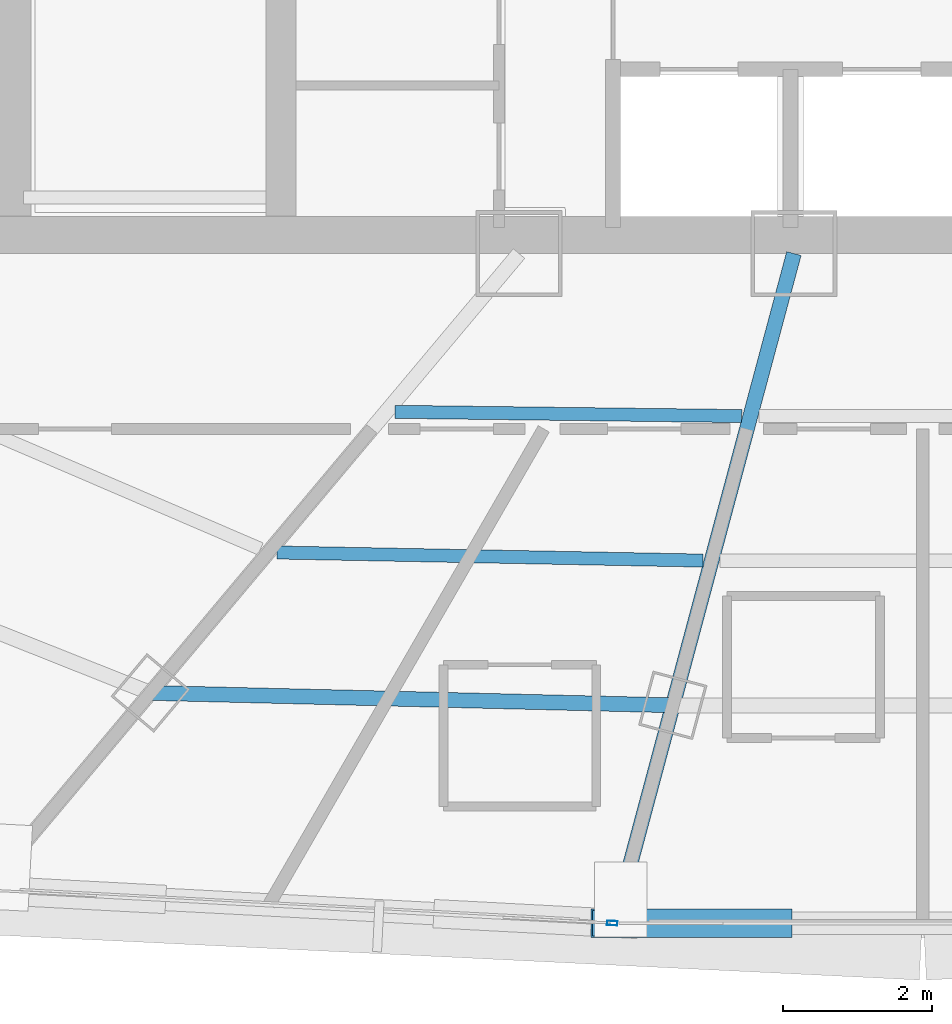
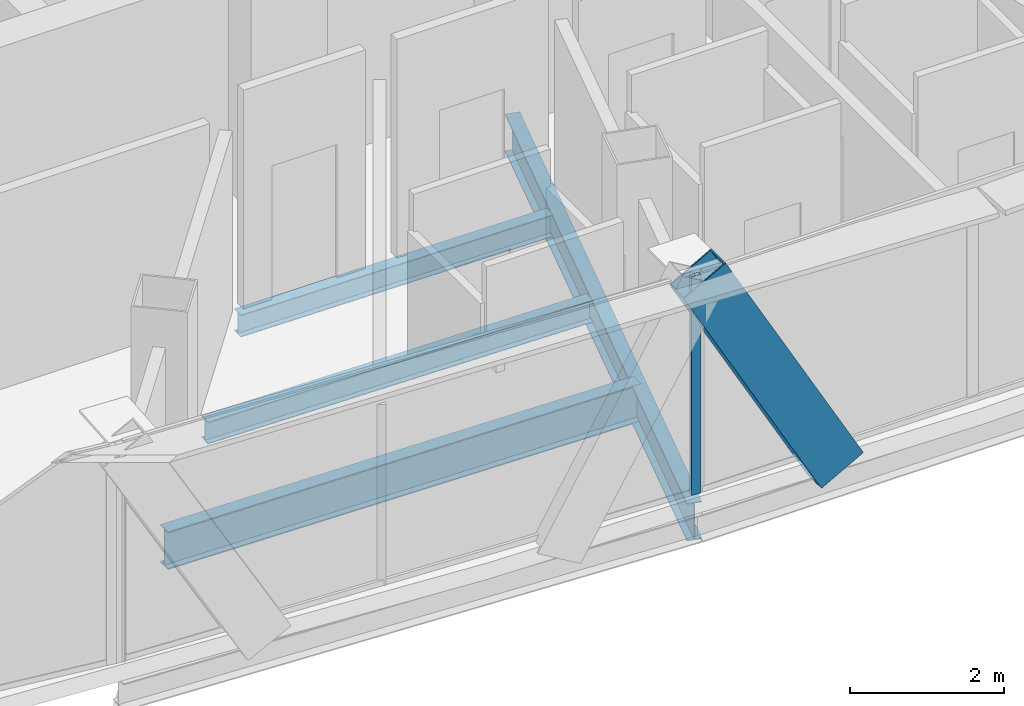
# One storey, part 7 of 39: 4 beams, 2 members, 1 element without a shape of its own.
"""IFC4 building model written with IfcOpenShell, lengths in metres."""

from ifc_helpers import new_model, si_unit, direction, frame, origin, origin_2d, place, context, subcontext, project, spatial, hollow_rectangle, i_section, extrude, source, transform, mapped, material, layer, layer_set, material_profile, profile_set, type_object, element, aggregate, save


model = new_model("IFC4")

# Units and contexts
model_context = context("Model", 3, precision=1e-05, world=origin(), true_north=direction((0.0, 1.0)))
body_context = subcontext(model_context, "Body", "Model", "MODEL_VIEW")
ifc_project = project(units=[si_unit("LENGTHUNIT", "METRE"), si_unit("AREAUNIT", "SQUARE_METRE"), si_unit("VOLUMEUNIT", "CUBIC_METRE"), si_unit("PLANEANGLEUNIT", "RADIAN"), si_unit("MASSUNIT", "GRAM", prefix="KILO"), si_unit("THERMODYNAMICTEMPERATUREUNIT", "KELVIN"), si_unit("POWERUNIT", "WATT")], contexts=[model_context])

# Site, building, storey
site_placement = place(None, origin())
site = spatial("IfcSite", under=ifc_project, at=site_placement, CompositionType="ELEMENT")
building_placement = place(site_placement, origin())
building = spatial("IfcBuilding", under=site, at=building_placement, Name="Yunzhuo Pagoda Commons", CompositionType="ELEMENT")
storey_placement = place(building_placement, frame((0.0, 0.0, 285.02001953125)))
storey = spatial("IfcBuildingStorey", under=building, at=storey_placement, Name="L71", CompositionType="ELEMENT", Elevation=285.02001953125)

# Beams
ifc_material_1 = material(Name="Structural steel Q355B", Category="steel")
ifc_material_profile_1 = material_profile(ifc_material_1, i_section(OverallWidth=0.199951171875, OverallDepth=0.60009765625, WebThickness=0.010986328125, FlangeThickness=0.01708984375, at=origin_2d()), Name="Structural steel Q355B")
ifc_profile_set_1 = profile_set([ifc_material_profile_1], Name="Structural steel Q355B")
beam_type_1 = type_object("IfcBeamType", Name="B-RG3 Beam HN 600x200x11x17", PredefinedType="BEAM", material=ifc_profile_set_1)
shared_shape_1 = source(origin(), body_context, "Body", "SweptSolid", [
    extrude(i_section(OverallWidth=0.199951171875, OverallDepth=0.60009765625, WebThickness=0.010986328125, FlangeThickness=0.01708984375, at=origin_2d()), origin(), (0.0, 0.0, 1.0), 9.136474609375),
])
beam_1_placement = place(storey_placement, frame((43.906982421875, 18.4248046875, -0.56005859375), z_axis=(0.258848279134, 0.96591799258, 0.0), x_axis=(-0.96591799258, 0.258848279134, 0.0)))
element("IfcBeam", 1, at=beam_1_placement, inside=storey, type_object=beam_type_1, Name="L71 radial floor girder F1C2", PredefinedType="BEAM", context=body_context, shape_type="MappedRepresentation", body=[
    mapped(shared_shape_1, transform((0.0, 0.0, 0.0), scale=1.0)),
])
shared_shape_2 = source(origin(), body_context, "Body", "SweptSolid", [
    extrude(i_section(OverallWidth=0.199951171875, OverallDepth=0.60009765625, WebThickness=0.010986328125, FlangeThickness=0.01708984375, at=origin_2d()), origin(), (0.0, 0.0, 1.0), 7.00439453125),
])
beam_2_placement = place(storey_placement, frame((37.64697265625, 21.361572265625, -0.56005859375), z_axis=(0.999719077883, -0.023701588905, 0.0), x_axis=(0.023701588905, 0.999719077883, 0.0)))
element("IfcBeam", 2, at=beam_2_placement, inside=storey, type_object=beam_type_1, Name="L71 column-ring beam 1", PredefinedType="BEAM", context=body_context, shape_type="MappedRepresentation", body=[
    mapped(shared_shape_2, transform((0.0, 0.0, 0.0), scale=1.0)),
])
ifc_material_profile_2 = material_profile(ifc_material_1, i_section(OverallWidth=0.175048828125, OverallDepth=0.35009765625, WebThickness=0.007080078125, FlangeThickness=0.010986328125, at=origin_2d()), Name="Structural steel Q355B")
ifc_profile_set_2 = profile_set([ifc_material_profile_2], Name="Structural steel Q355B")
beam_type_2 = type_object("IfcBeamType", Name="B-JS2 Joist HN 350x175x7x11", PredefinedType="JOIST", material=ifc_profile_set_2)
shared_shape_3 = source(origin(), body_context, "Body", "SweptSolid", [
    extrude(i_section(OverallWidth=0.175048828125, OverallDepth=0.35009765625, WebThickness=0.007080078125, FlangeThickness=0.010986328125, at=origin_2d()), origin(), (0.0, 0.0, 1.0), 4.64892578125),
])
beam_3_placement = place(storey_placement, frame((40.924072265625, 25.12890625, -0.43505859375), z_axis=(0.999924495467, -0.012288342626, 0.0), x_axis=(0.012288342626, 0.999924495467, 0.0)))
element("IfcBeam", 3, at=beam_3_placement, inside=storey, type_object=beam_type_2, Name="L71 composite ring joist 1.1", PredefinedType="JOIST", context=body_context, shape_type="MappedRepresentation", body=[
    mapped(shared_shape_3, transform((0.0, 0.0, 0.0), scale=1.0)),
])
shared_shape_4 = source(origin(), body_context, "Body", "SweptSolid", [
    extrude(i_section(OverallWidth=0.175048828125, OverallDepth=0.35009765625, WebThickness=0.007080078125, FlangeThickness=0.010986328125, at=origin_2d()), origin(), (0.0, 0.0, 1.0), 5.711669921875),
])
beam_4_placement = place(storey_placement, frame((39.343017578125, 23.24365234375, -0.43505859375), z_axis=(0.999819084998, -0.019020969297, 0.0), x_axis=(0.019020969297, 0.999819084998, 0.0)))
element("IfcBeam", 4, at=beam_4_placement, inside=storey, type_object=beam_type_2, Name="L71 composite ring joist 2.1", PredefinedType="JOIST", context=body_context, shape_type="MappedRepresentation", body=[
    mapped(shared_shape_4, transform((0.0, 0.0, 0.0), scale=1.0)),
])

# Member
ifc_material_profile_3 = material_profile(ifc_material_1, hollow_rectangle(XDim=0.3798828125, YDim=0.719970703125, WallThickness=0.02001953125, at=origin_2d()), Name="Structural steel Q355B")
ifc_profile_set_3 = profile_set([ifc_material_profile_3], Name="Structural steel Q355B")
member_type_1 = type_object("IfcMemberType", Name="M-DL3 Brace BOX 720x380x20", PredefinedType="BRACE", material=ifc_profile_set_3)
shared_shape_5 = source(origin(), body_context, "Body", "SweptSolid", [
    extrude(hollow_rectangle(XDim=0.3798828125, YDim=0.719970703125, WallThickness=0.02001953125, at=origin_2d()), origin(), (0.0, 0.0, 1.0), 4.26416015625),
])
member_1_placement = place(storey_placement, frame((45.93359375, 18.275390625, -0.260009765625), z_axis=(-0.484646090483, 0.0, 0.874710333184), x_axis=(0.0, -1.0, 0.0)))
element("IfcMember", 5, at=member_1_placement, inside=storey, type_object=member_type_1, Name="L71 facade diamond brace F1.2L", PredefinedType="BRACE", context=body_context, shape_type="MappedRepresentation", body=[
    mapped(shared_shape_5, transform((0.0, 0.0, 0.0), scale=1.0)),
])

# Curtain wall, member
ifc_material_2 = material(Name="Anodized aluminium 6063-T6", Category="aluminium")
ifc_layer = layer(ifc_material_2, 0.139892578125)
ifc_layer_set = layer_set([ifc_layer], Name="Anodized aluminium 6063-T6")
curtain_wall_type = type_object("IfcCurtainWallType", Name="CW-HI High-Zone Ribbon Curtain Wall", PredefinedType="NOTDEFINED", material=ifc_layer_set)
curtain_wall_placement = place(storey_placement, origin())
curtain_wall = element("IfcCurtainWall", 6, at=curtain_wall_placement, inside=storey, type_object=curtain_wall_type, Name="L71 curtain wall CW-L71-F1B2", PredefinedType="NOTDEFINED")
ifc_material_profile_4 = material_profile(ifc_material_2, hollow_rectangle(XDim=0.06005859375, YDim=0.139892578125, WallThickness=0.00341796875, at=origin_2d()), Name="Anodized aluminium 6063-T6")
ifc_profile_set_4 = profile_set([ifc_material_profile_4], Name="Anodized aluminium 6063-T6")
member_type_2 = type_object("IfcMemberType", Name="CW-HI-M Mullion RHS 140x60x3.5", PredefinedType="MULLION", material=ifc_profile_set_4)
shared_shape_6 = source(origin(), body_context, "Body", "SweptSolid", [
    extrude(hollow_rectangle(XDim=0.06005859375, YDim=0.139892578125, WallThickness=0.00341796875, at=origin_2d()), origin(), (0.0, 0.0, 1.0), 3.4697265625),
])
member_2_placement = place(storey_placement, frame((43.8369140625, 18.276611328125, 0.000244140625), z_axis=(0.0, 0.0, 1.0), x_axis=(0.052821657014, 0.998603961814, 0.0)))
member_2 = element("IfcMember", 7, at=member_2_placement, type_object=member_type_2, Name="CW mullion 2", PredefinedType="MULLION", context=body_context, shape_type="MappedRepresentation", body=[
    mapped(shared_shape_6, transform((0.0, 0.0, 0.0), scale=1.0)),
])
aggregate(curtain_wall, [member_2])

save(model, "model.ifc")
